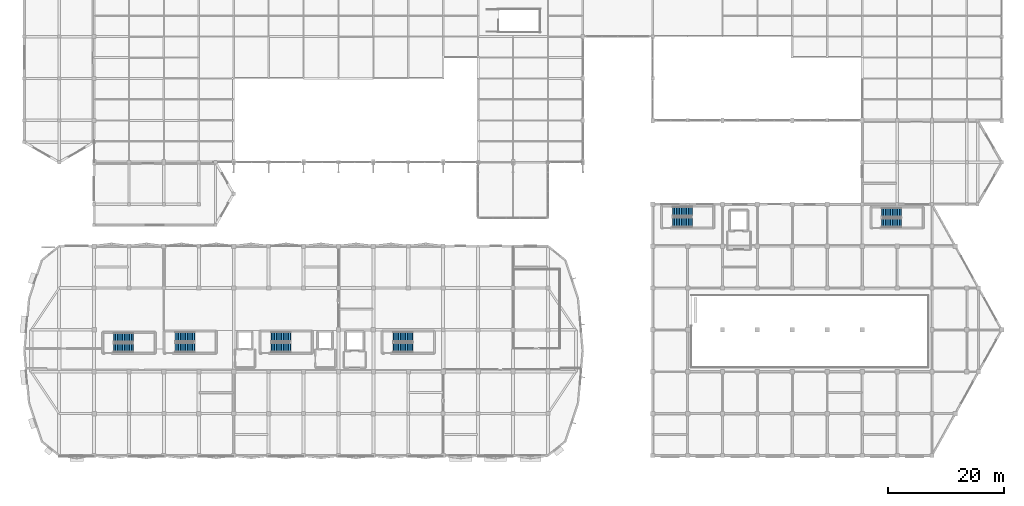
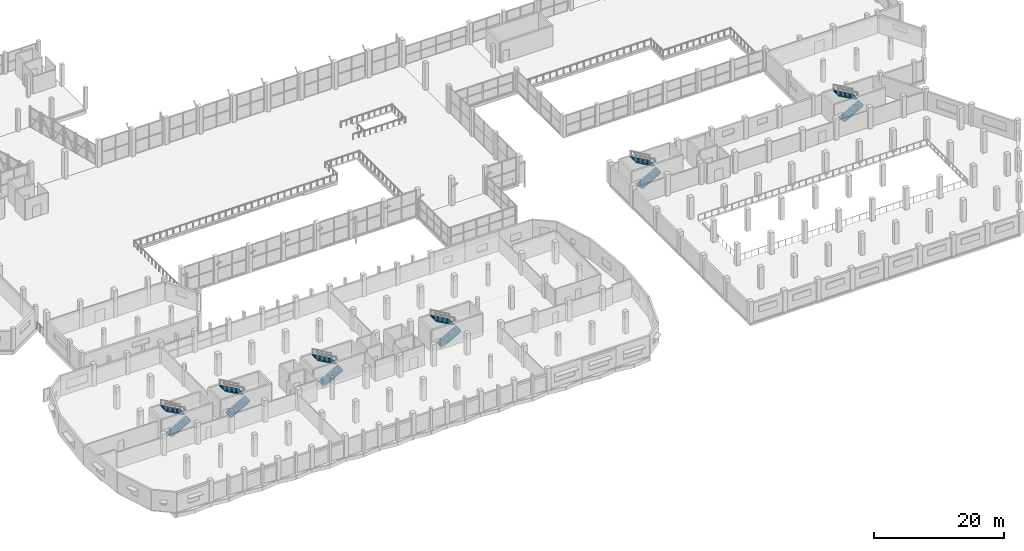
# One storey, part 113 of 127: 12 stair flights, 6 elements without a shape of their own.
"""IFC4 building model written with IfcOpenShell, lengths in metres."""

from ifc_helpers import new_model, si_unit, direction, frame, origin, place, context, subcontext, project, spatial, polyline, outline, extrude, material, type_object, element, aggregate, save


model = new_model("IFC4")

# Units and contexts
model_context = context("Model", 3, precision=1e-05, world=origin(), true_north=direction((0.0, 1.0)))
body_context = subcontext(model_context, "Body", "Model", "MODEL_VIEW")
ifc_project = project(units=[si_unit("LENGTHUNIT", "METRE"), si_unit("AREAUNIT", "SQUARE_METRE"), si_unit("VOLUMEUNIT", "CUBIC_METRE"), si_unit("PLANEANGLEUNIT", "RADIAN"), si_unit("MASSUNIT", "GRAM", prefix="KILO")], contexts=[model_context])

# Site, building, storey
site_placement = place(None, origin())
site = spatial("IfcSite", under=ifc_project, at=site_placement, CompositionType="ELEMENT")
building_placement = place(site_placement, origin())
building = spatial("IfcBuilding", under=site, at=building_placement, Name="Dunvalen Ferry Terminal", CompositionType="ELEMENT")
storey_placement = place(building_placement, frame((0.0, 0.0, 5.760009765625)))
storey = spatial("IfcBuildingStorey", under=building, at=storey_placement, Name="L01", CompositionType="ELEMENT", Elevation=5.760009765625)

# Stair, stair flights
ifc_material_1 = material(Name="Concrete C35/45", Category="concrete")
stair_type_1 = type_object("IfcStairType", Name="INT-ST-DLG-03", PredefinedType="HALF_TURN_STAIR", material=ifc_material_1)
stair_1_placement = place(storey_placement, origin())
stair_1 = element("IfcStair", 1, at=stair_1_placement, inside=storey, type_object=stair_type_1, Name="L01 Protected Escape Stair 5", PredefinedType="HALF_TURN_STAIR")
ifc_material_2 = material(Name="Precast concrete C40/50", Category="concrete")
stair_flight_type_1 = type_object("IfcStairFlightType", Name="INT-SFL-STR-03", PredefinedType="STRAIGHT", material=ifc_material_2)
stair_flight_1_placement = place(storey_placement, frame((15.39990234375, 18.52490234375, 0.0), z_axis=(0.0, 0.0, 1.0), x_axis=(1.0, 0.0, 0.0)))
stair_flight_1 = element("IfcStairFlight", 2, at=stair_flight_1_placement, type_object=stair_flight_type_1, Name="ST5 flight 1", NumberOfRisers=12, NumberOfTreads=11, PredefinedType="STRAIGHT", RiserHeight=0.17, TreadLength=0.3, context=body_context, shape_type="SweptSolid", body=[
    extrude(outline(polyline([(-0.080078125, 0.0), (-0.080078125, 0.080078125), (0.0, 0.169921875), (0.300048828125, 0.169921875), (0.300048828125, 0.340087890625), (0.60009765625, 0.340087890625), (0.60009765625, 0.510009765625), (0.89990234375, 0.510009765625), (0.89990234375, 0.679931640625), (1.199951171875, 0.679931640625), (1.199951171875, 0.85009765625), (1.5, 0.85009765625), (1.5, 1.02001953125), (1.800048828125, 1.02001953125), (1.800048828125, 1.18994140625), (2.10009765625, 1.18994140625), (2.10009765625, 1.360107421875), (2.39990234375, 1.360107421875), (2.39990234375, 1.530029296875), (2.699951171875, 1.530029296875), (2.699951171875, 1.699951171875), (3.0, 1.699951171875), (3.0, 1.8701171875), (3.300048828125, 1.8701171875), (3.300048828125, 2.0400390625), (3.380126953125, 2.0400390625), (3.380126953125, 1.880126953125), (3.300048828125, 1.69775390625), (0.303955078125, 0.0), (-0.080078125, 0.0)])), frame((0.0, 0.77490234375, 0.0), z_axis=(0.0, -1.0, 0.0), x_axis=(1.0, 0.0, 0.0)), (0.0, 0.0, 1.0), 1.550048828125),
])
stair_flight_2_placement = place(storey_placement, frame((18.699951171875, 20.27490234375, 2.0400390625), z_axis=(0.0, 0.0, 1.0), x_axis=(-1.0, 0.0, 0.0)))
stair_flight_2 = element("IfcStairFlight", 3, at=stair_flight_2_placement, type_object=stair_flight_type_1, Name="ST5 flight 2", NumberOfRisers=12, NumberOfTreads=11, PredefinedType="STRAIGHT", RiserHeight=0.17, TreadLength=0.3, context=body_context, shape_type="SweptSolid", body=[
    extrude(outline(polyline([(-0.080078125, 0.0), (-0.080078125, 0.080078125), (0.0, 0.169921875), (0.300048828125, 0.169921875), (0.300048828125, 0.340087890625), (0.60009765625, 0.340087890625), (0.60009765625, 0.510009765625), (0.89990234375, 0.510009765625), (0.89990234375, 0.679931640625), (1.199951171875, 0.679931640625), (1.199951171875, 0.85009765625), (1.5, 0.85009765625), (1.5, 1.02001953125), (1.800048828125, 1.02001953125), (1.800048828125, 1.18994140625), (2.10009765625, 1.18994140625), (2.10009765625, 1.360107421875), (2.39990234375, 1.360107421875), (2.39990234375, 1.530029296875), (2.699951171875, 1.530029296875), (2.699951171875, 1.699951171875), (3.0, 1.699951171875), (3.0, 1.8701171875), (3.300048828125, 1.8701171875), (3.300048828125, 2.0400390625), (3.380126953125, 2.0400390625), (3.380126953125, 1.880126953125), (3.300048828125, 1.69775390625), (0.303955078125, 0.0), (-0.080078125, 0.0)])), frame((0.0, 0.77490234375, 0.0), z_axis=(0.0, -1.0, 0.0), x_axis=(1.0, 0.0, 0.0)), (0.0, 0.0, 1.0), 1.550048828125),
])
aggregate(stair_1, [stair_flight_1, stair_flight_2])

stair_2_placement = place(storey_placement, origin())
stair_2 = element("IfcStair", 4, at=stair_2_placement, inside=storey, type_object=stair_type_1, Name="L01 Protected Escape Stair 6", PredefinedType="HALF_TURN_STAIR")
stair_flight_3_placement = place(storey_placement, frame((147.39990234375, 40.02490234375, 0.0), z_axis=(0.0, 0.0, 1.0), x_axis=(1.0, 0.0, 0.0)))
stair_flight_3 = element("IfcStairFlight", 5, at=stair_flight_3_placement, type_object=stair_flight_type_1, Name="ST6 flight 1", NumberOfRisers=12, NumberOfTreads=11, PredefinedType="STRAIGHT", RiserHeight=0.17, TreadLength=0.3, context=body_context, shape_type="SweptSolid", body=[
    extrude(outline(polyline([(-0.080078125, 0.0), (-0.080078125, 0.080078125), (0.0, 0.169921875), (0.300048828125, 0.169921875), (0.300048828125, 0.340087890625), (0.60009765625, 0.340087890625), (0.60009765625, 0.510009765625), (0.89990234375, 0.510009765625), (0.89990234375, 0.679931640625), (1.199951171875, 0.679931640625), (1.199951171875, 0.85009765625), (1.5, 0.85009765625), (1.5, 1.02001953125), (1.800048828125, 1.02001953125), (1.800048828125, 1.18994140625), (2.10009765625, 1.18994140625), (2.10009765625, 1.360107421875), (2.39990234375, 1.360107421875), (2.39990234375, 1.530029296875), (2.699951171875, 1.530029296875), (2.699951171875, 1.699951171875), (3.0, 1.699951171875), (3.0, 1.8701171875), (3.300048828125, 1.8701171875), (3.300048828125, 2.0400390625), (3.380126953125, 2.0400390625), (3.380126953125, 1.880126953125), (3.300048828125, 1.69775390625), (0.303955078125, 0.0), (-0.080078125, 0.0)])), frame((0.0, 0.77490234375, 0.0), z_axis=(0.0, -1.0, 0.0), x_axis=(1.0, 0.0, 0.0)), (0.0, 0.0, 1.0), 1.550048828125),
])
stair_flight_4_placement = place(storey_placement, frame((150.699951171875, 41.77490234375, 2.0400390625), z_axis=(0.0, 0.0, 1.0), x_axis=(-1.0, 0.0, 0.0)))
stair_flight_4 = element("IfcStairFlight", 6, at=stair_flight_4_placement, type_object=stair_flight_type_1, Name="ST6 flight 2", NumberOfRisers=12, NumberOfTreads=11, PredefinedType="STRAIGHT", RiserHeight=0.17, TreadLength=0.3, context=body_context, shape_type="SweptSolid", body=[
    extrude(outline(polyline([(-0.080078125, 0.0), (-0.080078125, 0.080078125), (0.0, 0.169921875), (0.300048828125, 0.169921875), (0.300048828125, 0.340087890625), (0.60009765625, 0.340087890625), (0.60009765625, 0.510009765625), (0.89990234375, 0.510009765625), (0.89990234375, 0.679931640625), (1.199951171875, 0.679931640625), (1.199951171875, 0.85009765625), (1.5, 0.85009765625), (1.5, 1.02001953125), (1.800048828125, 1.02001953125), (1.800048828125, 1.18994140625), (2.10009765625, 1.18994140625), (2.10009765625, 1.360107421875), (2.39990234375, 1.360107421875), (2.39990234375, 1.530029296875), (2.699951171875, 1.530029296875), (2.699951171875, 1.699951171875), (3.0, 1.699951171875), (3.0, 1.8701171875), (3.300048828125, 1.8701171875), (3.300048828125, 2.0400390625), (3.380126953125, 2.0400390625), (3.380126953125, 1.880126953125), (3.300048828125, 1.69775390625), (0.303955078125, 0.0), (-0.080078125, 0.0)])), frame((0.0, 0.77490234375, 0.0), z_axis=(0.0, -1.0, 0.0), x_axis=(1.0, 0.0, 0.0)), (0.0, 0.0, 1.0), 1.550048828125),
])
aggregate(stair_2, [stair_flight_3, stair_flight_4])

stair_type_2 = type_object("IfcStairType", Name="INT-ST-DLG-06", PredefinedType="HALF_TURN_STAIR", material=ifc_material_1)
stair_3_placement = place(storey_placement, origin())
stair_3 = element("IfcStair", 7, at=stair_3_placement, inside=storey, type_object=stair_type_2, Name="L01 Protected Escape Stair 1", PredefinedType="HALF_TURN_STAIR")
stair_flight_type_2 = type_object("IfcStairFlightType", Name="INT-SFL-STR-06", PredefinedType="STRAIGHT", material=ifc_material_2)
stair_flight_5_placement = place(storey_placement, frame((25.949951171875, 18.574951171875, 0.0), z_axis=(0.0, 0.0, 1.0), x_axis=(1.0, 0.0, 0.0)))
stair_flight_5 = element("IfcStairFlight", 8, at=stair_flight_5_placement, type_object=stair_flight_type_2, Name="ST1 flight 1", NumberOfRisers=12, NumberOfTreads=11, PredefinedType="STRAIGHT", RiserHeight=0.17, TreadLength=0.3, context=body_context, shape_type="SweptSolid", body=[
    extrude(outline(polyline([(-0.080078125, 0.0), (-0.080078125, 0.080078125), (0.0, 0.169921875), (0.300048828125, 0.169921875), (0.300048828125, 0.340087890625), (0.60009765625, 0.340087890625), (0.60009765625, 0.510009765625), (0.89990234375, 0.510009765625), (0.89990234375, 0.679931640625), (1.199951171875, 0.679931640625), (1.199951171875, 0.85009765625), (1.5, 0.85009765625), (1.5, 1.02001953125), (1.800048828125, 1.02001953125), (1.800048828125, 1.18994140625), (2.10009765625, 1.18994140625), (2.10009765625, 1.360107421875), (2.39990234375, 1.360107421875), (2.39990234375, 1.530029296875), (2.699951171875, 1.530029296875), (2.699951171875, 1.699951171875), (3.0, 1.699951171875), (3.0, 1.8701171875), (3.300048828125, 1.8701171875), (3.300048828125, 2.0400390625), (3.380126953125, 2.0400390625), (3.380126953125, 1.880126953125), (3.300048828125, 1.69775390625), (0.303955078125, 0.0), (-0.080078125, 0.0)])), frame((0.0, 0.824951171875, 0.0), z_axis=(0.0, -1.0, 0.0), x_axis=(1.0, 0.0, 0.0)), (0.0, 0.0, 1.0), 1.64990234375),
])
stair_flight_6_placement = place(storey_placement, frame((29.25, 20.425048828125, 2.0400390625), z_axis=(0.0, 0.0, 1.0), x_axis=(-1.0, 0.0, 0.0)))
stair_flight_6 = element("IfcStairFlight", 9, at=stair_flight_6_placement, type_object=stair_flight_type_2, Name="ST1 flight 2", NumberOfRisers=12, NumberOfTreads=11, PredefinedType="STRAIGHT", RiserHeight=0.17, TreadLength=0.3, context=body_context, shape_type="SweptSolid", body=[
    extrude(outline(polyline([(-0.080078125, 0.0), (-0.080078125, 0.080078125), (0.0, 0.169921875), (0.300048828125, 0.169921875), (0.300048828125, 0.340087890625), (0.60009765625, 0.340087890625), (0.60009765625, 0.510009765625), (0.89990234375, 0.510009765625), (0.89990234375, 0.679931640625), (1.199951171875, 0.679931640625), (1.199951171875, 0.85009765625), (1.5, 0.85009765625), (1.5, 1.02001953125), (1.800048828125, 1.02001953125), (1.800048828125, 1.18994140625), (2.10009765625, 1.18994140625), (2.10009765625, 1.360107421875), (2.39990234375, 1.360107421875), (2.39990234375, 1.530029296875), (2.699951171875, 1.530029296875), (2.699951171875, 1.699951171875), (3.0, 1.699951171875), (3.0, 1.8701171875), (3.300048828125, 1.8701171875), (3.300048828125, 2.0400390625), (3.380126953125, 2.0400390625), (3.380126953125, 1.880126953125), (3.300048828125, 1.69775390625), (0.303955078125, 0.0), (-0.080078125, 0.0)])), frame((0.0, 0.824951171875, 0.0), z_axis=(0.0, -1.0, 0.0), x_axis=(1.0, 0.0, 0.0)), (0.0, 0.0, 1.0), 1.64990234375),
])
aggregate(stair_3, [stair_flight_5, stair_flight_6])

stair_4_placement = place(storey_placement, origin())
stair_4 = element("IfcStair", 10, at=stair_4_placement, inside=storey, type_object=stair_type_2, Name="L01 Protected Escape Stair 2", PredefinedType="HALF_TURN_STAIR")
stair_flight_7_placement = place(storey_placement, frame((42.449951171875, 18.574951171875, 0.0), z_axis=(0.0, 0.0, 1.0), x_axis=(1.0, 0.0, 0.0)))
stair_flight_7 = element("IfcStairFlight", 11, at=stair_flight_7_placement, type_object=stair_flight_type_2, Name="ST2 flight 1", NumberOfRisers=12, NumberOfTreads=11, PredefinedType="STRAIGHT", RiserHeight=0.17, TreadLength=0.3, context=body_context, shape_type="SweptSolid", body=[
    extrude(outline(polyline([(-0.080078125, 0.0), (-0.080078125, 0.080078125), (0.0, 0.169921875), (0.300048828125, 0.169921875), (0.300048828125, 0.340087890625), (0.60009765625, 0.340087890625), (0.60009765625, 0.510009765625), (0.89990234375, 0.510009765625), (0.89990234375, 0.679931640625), (1.199951171875, 0.679931640625), (1.199951171875, 0.85009765625), (1.5, 0.85009765625), (1.5, 1.02001953125), (1.800048828125, 1.02001953125), (1.800048828125, 1.18994140625), (2.10009765625, 1.18994140625), (2.10009765625, 1.360107421875), (2.39990234375, 1.360107421875), (2.39990234375, 1.530029296875), (2.699951171875, 1.530029296875), (2.699951171875, 1.699951171875), (3.0, 1.699951171875), (3.0, 1.8701171875), (3.300048828125, 1.8701171875), (3.300048828125, 2.0400390625), (3.380126953125, 2.0400390625), (3.380126953125, 1.880126953125), (3.300048828125, 1.69775390625), (0.303955078125, 0.0), (-0.080078125, 0.0)])), frame((0.0, 0.824951171875, 0.0), z_axis=(0.0, -1.0, 0.0), x_axis=(1.0, 0.0, 0.0)), (0.0, 0.0, 1.0), 1.64990234375),
])
stair_flight_8_placement = place(storey_placement, frame((45.75, 20.425048828125, 2.0400390625), z_axis=(0.0, 0.0, 1.0), x_axis=(-1.0, 0.0, 0.0)))
stair_flight_8 = element("IfcStairFlight", 12, at=stair_flight_8_placement, type_object=stair_flight_type_2, Name="ST2 flight 2", NumberOfRisers=12, NumberOfTreads=11, PredefinedType="STRAIGHT", RiserHeight=0.17, TreadLength=0.3, context=body_context, shape_type="SweptSolid", body=[
    extrude(outline(polyline([(-0.080078125, 0.0), (-0.080078125, 0.080078125), (0.0, 0.169921875), (0.300048828125, 0.169921875), (0.300048828125, 0.340087890625), (0.60009765625, 0.340087890625), (0.60009765625, 0.510009765625), (0.89990234375, 0.510009765625), (0.89990234375, 0.679931640625), (1.199951171875, 0.679931640625), (1.199951171875, 0.85009765625), (1.5, 0.85009765625), (1.5, 1.02001953125), (1.800048828125, 1.02001953125), (1.800048828125, 1.18994140625), (2.10009765625, 1.18994140625), (2.10009765625, 1.360107421875), (2.39990234375, 1.360107421875), (2.39990234375, 1.530029296875), (2.699951171875, 1.530029296875), (2.699951171875, 1.699951171875), (3.0, 1.699951171875), (3.0, 1.8701171875), (3.300048828125, 1.8701171875), (3.300048828125, 2.0400390625), (3.380126953125, 2.0400390625), (3.380126953125, 1.880126953125), (3.300048828125, 1.69775390625), (0.303955078125, 0.0), (-0.080078125, 0.0)])), frame((0.0, 0.824951171875, 0.0), z_axis=(0.0, -1.0, 0.0), x_axis=(1.0, 0.0, 0.0)), (0.0, 0.0, 1.0), 1.64990234375),
])
aggregate(stair_4, [stair_flight_7, stair_flight_8])

stair_5_placement = place(storey_placement, origin())
stair_5 = element("IfcStair", 13, at=stair_5_placement, inside=storey, type_object=stair_type_2, Name="L01 Protected Escape Stair 3", PredefinedType="HALF_TURN_STAIR")
stair_flight_9_placement = place(storey_placement, frame((63.449951171875, 18.574951171875, 0.0), z_axis=(0.0, 0.0, 1.0), x_axis=(1.0, 0.0, 0.0)))
stair_flight_9 = element("IfcStairFlight", 14, at=stair_flight_9_placement, type_object=stair_flight_type_2, Name="ST3 flight 1", NumberOfRisers=12, NumberOfTreads=11, PredefinedType="STRAIGHT", RiserHeight=0.17, TreadLength=0.3, context=body_context, shape_type="SweptSolid", body=[
    extrude(outline(polyline([(-0.080078125, 0.0), (-0.080078125, 0.080078125), (0.0, 0.169921875), (0.300048828125, 0.169921875), (0.300048828125, 0.340087890625), (0.60009765625, 0.340087890625), (0.60009765625, 0.510009765625), (0.89990234375, 0.510009765625), (0.89990234375, 0.679931640625), (1.199951171875, 0.679931640625), (1.199951171875, 0.85009765625), (1.5, 0.85009765625), (1.5, 1.02001953125), (1.800048828125, 1.02001953125), (1.800048828125, 1.18994140625), (2.10009765625, 1.18994140625), (2.10009765625, 1.360107421875), (2.39990234375, 1.360107421875), (2.39990234375, 1.530029296875), (2.699951171875, 1.530029296875), (2.699951171875, 1.699951171875), (3.0, 1.699951171875), (3.0, 1.8701171875), (3.300048828125, 1.8701171875), (3.300048828125, 2.0400390625), (3.380126953125, 2.0400390625), (3.380126953125, 1.880126953125), (3.300048828125, 1.69775390625), (0.303955078125, 0.0), (-0.080078125, 0.0)])), frame((0.0, 0.824951171875, 0.0), z_axis=(0.0, -1.0, 0.0), x_axis=(1.0, 0.0, 0.0)), (0.0, 0.0, 1.0), 1.64990234375),
])
stair_flight_10_placement = place(storey_placement, frame((66.75, 20.425048828125, 2.0400390625), z_axis=(0.0, 0.0, 1.0), x_axis=(-1.0, 0.0, 0.0)))
stair_flight_10 = element("IfcStairFlight", 15, at=stair_flight_10_placement, type_object=stair_flight_type_2, Name="ST3 flight 2", NumberOfRisers=12, NumberOfTreads=11, PredefinedType="STRAIGHT", RiserHeight=0.17, TreadLength=0.3, context=body_context, shape_type="SweptSolid", body=[
    extrude(outline(polyline([(-0.080078125, 0.0), (-0.080078125, 0.080078125), (0.0, 0.169921875), (0.300048828125, 0.169921875), (0.300048828125, 0.340087890625), (0.60009765625, 0.340087890625), (0.60009765625, 0.510009765625), (0.89990234375, 0.510009765625), (0.89990234375, 0.679931640625), (1.199951171875, 0.679931640625), (1.199951171875, 0.85009765625), (1.5, 0.85009765625), (1.5, 1.02001953125), (1.800048828125, 1.02001953125), (1.800048828125, 1.18994140625), (2.10009765625, 1.18994140625), (2.10009765625, 1.360107421875), (2.39990234375, 1.360107421875), (2.39990234375, 1.530029296875), (2.699951171875, 1.530029296875), (2.699951171875, 1.699951171875), (3.0, 1.699951171875), (3.0, 1.8701171875), (3.300048828125, 1.8701171875), (3.300048828125, 2.0400390625), (3.380126953125, 2.0400390625), (3.380126953125, 1.880126953125), (3.300048828125, 1.69775390625), (0.303955078125, 0.0), (-0.080078125, 0.0)])), frame((0.0, 0.824951171875, 0.0), z_axis=(0.0, -1.0, 0.0), x_axis=(1.0, 0.0, 0.0)), (0.0, 0.0, 1.0), 1.64990234375),
])
aggregate(stair_5, [stair_flight_9, stair_flight_10])

stair_6_placement = place(storey_placement, origin())
stair_6 = element("IfcStair", 16, at=stair_6_placement, inside=storey, type_object=stair_type_2, Name="L01 Protected Escape Stair 4", PredefinedType="HALF_TURN_STAIR")
stair_flight_11_placement = place(storey_placement, frame((111.449951171875, 40.074951171875, 0.0), z_axis=(0.0, 0.0, 1.0), x_axis=(1.0, 0.0, 0.0)))
stair_flight_11 = element("IfcStairFlight", 17, at=stair_flight_11_placement, type_object=stair_flight_type_2, Name="ST4 flight 1", NumberOfRisers=12, NumberOfTreads=11, PredefinedType="STRAIGHT", RiserHeight=0.17, TreadLength=0.3, context=body_context, shape_type="SweptSolid", body=[
    extrude(outline(polyline([(-0.080078125, 0.0), (-0.080078125, 0.080078125), (0.0, 0.169921875), (0.300048828125, 0.169921875), (0.300048828125, 0.340087890625), (0.60009765625, 0.340087890625), (0.60009765625, 0.510009765625), (0.89990234375, 0.510009765625), (0.89990234375, 0.679931640625), (1.199951171875, 0.679931640625), (1.199951171875, 0.85009765625), (1.5, 0.85009765625), (1.5, 1.02001953125), (1.800048828125, 1.02001953125), (1.800048828125, 1.18994140625), (2.10009765625, 1.18994140625), (2.10009765625, 1.360107421875), (2.39990234375, 1.360107421875), (2.39990234375, 1.530029296875), (2.699951171875, 1.530029296875), (2.699951171875, 1.699951171875), (3.0, 1.699951171875), (3.0, 1.8701171875), (3.300048828125, 1.8701171875), (3.300048828125, 2.0400390625), (3.380126953125, 2.0400390625), (3.380126953125, 1.880126953125), (3.300048828125, 1.69775390625), (0.303955078125, 0.0), (-0.080078125, 0.0)])), frame((0.0, 0.824951171875, 0.0), z_axis=(0.0, -1.0, 0.0), x_axis=(1.0, 0.0, 0.0)), (0.0, 0.0, 1.0), 1.64990234375),
])
stair_flight_12_placement = place(storey_placement, frame((114.75, 41.925048828125, 2.0400390625), z_axis=(0.0, 0.0, 1.0), x_axis=(-1.0, 0.0, 0.0)))
stair_flight_12 = element("IfcStairFlight", 18, at=stair_flight_12_placement, type_object=stair_flight_type_2, Name="ST4 flight 2", NumberOfRisers=12, NumberOfTreads=11, PredefinedType="STRAIGHT", RiserHeight=0.17, TreadLength=0.3, context=body_context, shape_type="SweptSolid", body=[
    extrude(outline(polyline([(-0.080078125, 0.0), (-0.080078125, 0.080078125), (0.0, 0.169921875), (0.300048828125, 0.169921875), (0.300048828125, 0.340087890625), (0.60009765625, 0.340087890625), (0.60009765625, 0.510009765625), (0.89990234375, 0.510009765625), (0.89990234375, 0.679931640625), (1.199951171875, 0.679931640625), (1.199951171875, 0.85009765625), (1.5, 0.85009765625), (1.5, 1.02001953125), (1.800048828125, 1.02001953125), (1.800048828125, 1.18994140625), (2.10009765625, 1.18994140625), (2.10009765625, 1.360107421875), (2.39990234375, 1.360107421875), (2.39990234375, 1.530029296875), (2.699951171875, 1.530029296875), (2.699951171875, 1.699951171875), (3.0, 1.699951171875), (3.0, 1.8701171875), (3.300048828125, 1.8701171875), (3.300048828125, 2.0400390625), (3.380126953125, 2.0400390625), (3.380126953125, 1.880126953125), (3.300048828125, 1.69775390625), (0.303955078125, 0.0), (-0.080078125, 0.0)])), frame((0.0, 0.824951171875, 0.0), z_axis=(0.0, -1.0, 0.0), x_axis=(1.0, 0.0, 0.0)), (0.0, 0.0, 1.0), 1.64990234375),
])
aggregate(stair_6, [stair_flight_11, stair_flight_12])

save(model, "model.ifc")
